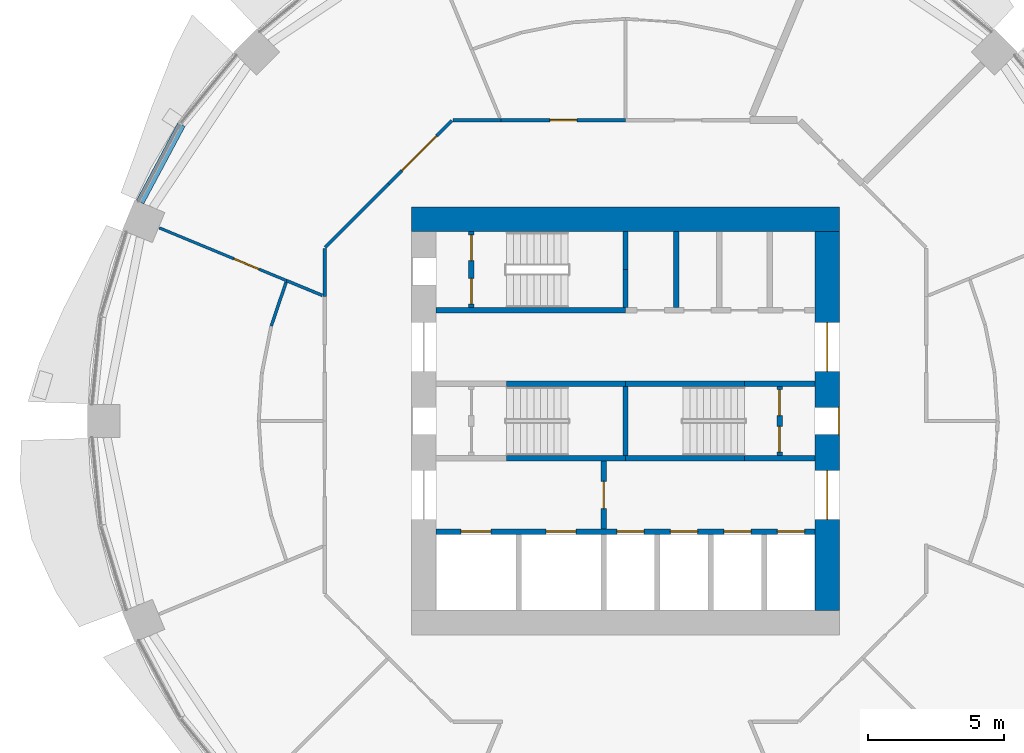
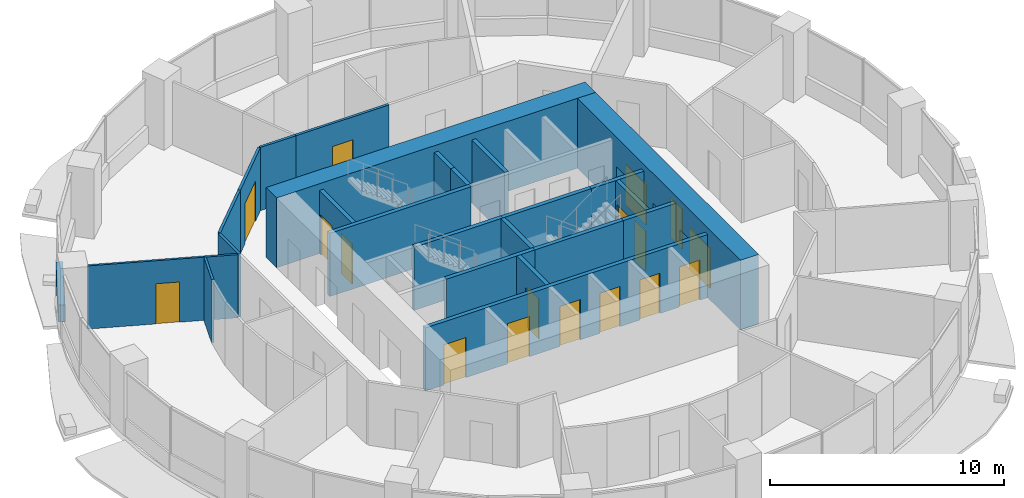
# One storey, part 9 of 15: 26 walls, 17 doors, 17 openings.
"""IFC4 building model written with IfcOpenShell, lengths in metres."""

from ifc_helpers import new_model, si_unit, direction, frame, frame_2d, origin, place, context, subcontext, project, spatial, rectangle, extrude, material, layer, layer_set, type_object, element, fill, save


model = new_model("IFC4")

# Units and contexts
model_context = context("Model", 3, precision=1e-05, world=origin(), true_north=direction((0.0, 1.0)))
body_context = subcontext(model_context, "Body", "Model", "MODEL_VIEW")
ifc_project = project(units=[si_unit("LENGTHUNIT", "METRE"), si_unit("AREAUNIT", "SQUARE_METRE"), si_unit("VOLUMEUNIT", "CUBIC_METRE"), si_unit("PLANEANGLEUNIT", "RADIAN"), si_unit("MASSUNIT", "GRAM", prefix="KILO")], contexts=[model_context])

# Site, building, storey
site_placement = place(None, origin())
site = spatial("IfcSite", under=ifc_project, at=site_placement, CompositionType="ELEMENT")
building_placement = place(site_placement, origin())
building = spatial("IfcBuilding", under=site, at=building_placement, Name="Polderwave Tower", CompositionType="ELEMENT")
storey_placement = place(building_placement, frame((0.0, 0.0, 33.5)))
storey = spatial("IfcBuildingStorey", under=building, at=storey_placement, Name="L08", CompositionType="ELEMENT", Elevation=33.5)

# Wall
ifc_material_1 = material(Name="Concrete C80/95", Category="concrete")
ifc_layer_1 = layer(ifc_material_1, 0.89990234375)
ifc_layer_set_1 = layer_set([ifc_layer_1], Name="CORE WALL 900 C80/95")
wall_type_1 = type_object("IfcWallType", Name="CORE WALL 900 C80/95", PredefinedType="SHEAR", material=ifc_layer_set_1)
wall_1_placement = place(storey_placement, frame((-7.8740234375, 7.424072265625, 0.0), z_axis=(0.0, 0.0, 1.0), x_axis=(1.0, 0.0, 0.0)))
element("IfcWall", 1, at=wall_1_placement, inside=storey, type_object=wall_type_1, Name="ST-CORE-L08-N", PredefinedType="SHEAR", context=body_context, shape_type="SweptSolid", body=[
    extrude(rectangle(XDim=15.748046875, YDim=0.89990234375, at=frame_2d((7.8740234375, 0.0))), origin(), (0.0, 0.0, 1.0), 3.64990234375),
])

# Wall, openings, doors
wall_2_placement = place(storey_placement, frame((7.424072265625, -6.97412109375, 0.0), z_axis=(0.0, 0.0, 1.0), x_axis=(0.0, 1.0, 0.0)))
wall_2 = element("IfcWall", 2, at=wall_2_placement, inside=storey, type_object=wall_type_1, Name="ST-CORE-L08-E", PredefinedType="SHEAR", context=body_context, shape_type="SweptSolid", body=[
    extrude(rectangle(XDim=13.9482421875, YDim=0.89990234375, at=frame_2d((6.97412109375, 0.0))), origin(), (0.0, 0.0, 1.0), 3.64990234375),
])
opening_1_placement = place(wall_2_placement, frame((6.47412109375, 0.0, 0.0)))
opening_1 = element("IfcOpeningElement", 3, at=opening_1_placement, cuts=wall_2, Name="Opening L08-D22", PredefinedType="OPENING", context=body_context, shape_type="SweptSolid", body=[
    extrude(rectangle(XDim=1.0, YDim=2.10009765625, at=frame_2d((0.5, 1.050048828125))), frame((0.0, 0.4599609375, 0.0), z_axis=(0.0, -1.0, 0.0), x_axis=(1.0, 0.0, 0.0)), (0.0, 0.0, 1.0), 0.919921875),
])
opening_2_placement = place(wall_2_placement, frame((3.349609375, 0.0, 0.0)))
opening_2 = element("IfcOpeningElement", 4, at=opening_2_placement, cuts=wall_2, Name="Opening L08-D23", PredefinedType="OPENING", context=body_context, shape_type="SweptSolid", body=[
    extrude(rectangle(XDim=1.800048828125, YDim=2.10009765625, at=frame_2d((0.89990234375, 1.050048828125))), frame((0.0, 0.4599609375, 0.0), z_axis=(0.0, -1.0, 0.0), x_axis=(1.0, 0.0, 0.0)), (0.0, 0.0, 1.0), 0.919921875),
])
opening_3_placement = place(wall_2_placement, frame((8.798583984375, 0.0, 0.0)))
opening_3 = element("IfcOpeningElement", 5, at=opening_3_placement, cuts=wall_2, Name="Opening L08-D24", PredefinedType="OPENING", context=body_context, shape_type="SweptSolid", body=[
    extrude(rectangle(XDim=1.800048828125, YDim=2.10009765625, at=frame_2d((0.89990234375, 1.050048828125))), frame((0.0, 0.4599609375, 0.0), z_axis=(0.0, -1.0, 0.0), x_axis=(1.0, 0.0, 0.0)), (0.0, 0.0, 1.0), 0.919921875),
])
ifc_material_2 = material(Name="Steel fire door", Category="steel")
door_type_1 = type_object("IfcDoorType", Name="Lobby entry door pair 1800", OperationType="DOUBLE_DOOR_SINGLE_SWING", PredefinedType="DOOR", material=ifc_material_2)
door_1_placement = place(opening_2_placement, frame((1.800048828125, 0.0, 0.0), z_axis=(0.0, 0.0, 1.0), x_axis=(-1.0, 0.0, 0.0)))
door_1 = element("IfcDoor", 6, at=door_1_placement, inside=storey, type_object=door_type_1, Name="South lobby entry door", OperationType="DOUBLE_DOOR_SINGLE_SWING", OverallHeight=2.10009765625, OverallWidth=1.800048828125, PredefinedType="DOOR", context=body_context, shape_type="SweptSolid", body=[
    extrude(rectangle(XDim=1.800048828125, YDim=2.10009765625, at=frame_2d((0.89990234375, 1.050048828125))), frame((0.0, 0.02490234375, 0.0), z_axis=(0.0, -1.0, 0.0), x_axis=(1.0, 0.0, 0.0)), (0.0, 0.0, 1.0), 0.050048828125),
])
fill(opening_2, door_1)
door_2_placement = place(opening_3_placement, frame((1.800048828125, 0.0, 0.0), z_axis=(0.0, 0.0, 1.0), x_axis=(-1.0, 0.0, 0.0)))
door_2 = element("IfcDoor", 7, at=door_2_placement, inside=storey, type_object=door_type_1, Name="North lobby entry door", OperationType="DOUBLE_DOOR_SINGLE_SWING", OverallHeight=2.10009765625, OverallWidth=1.800048828125, PredefinedType="DOOR", context=body_context, shape_type="SweptSolid", body=[
    extrude(rectangle(XDim=1.800048828125, YDim=2.10009765625, at=frame_2d((0.89990234375, 1.050048828125))), frame((0.0, 0.02490234375, 0.0), z_axis=(0.0, -1.0, 0.0), x_axis=(1.0, 0.0, 0.0)), (0.0, 0.0, 1.0), 0.050048828125),
])
fill(opening_3, door_2)
door_type_2 = type_object("IfcDoorType", Name="Stair door 1000", OperationType="NOTDEFINED", PredefinedType="DOOR", material=ifc_material_2)
door_3_placement = place(opening_1_placement, frame((1.0, 0.0, 0.0), z_axis=(0.0, 0.0, 1.0), x_axis=(-1.0, 0.0, 0.0)))
door_3 = element("IfcDoor", 8, at=door_3_placement, inside=storey, type_object=door_type_2, Name="Stair B entry door", OperationType="SINGLE_SWING_LEFT", OverallHeight=2.10009765625, OverallWidth=1.0, PredefinedType="DOOR", context=body_context, shape_type="SweptSolid", body=[
    extrude(rectangle(XDim=1.0, YDim=2.10009765625, at=frame_2d((0.5, 1.050048828125))), frame((0.0, 0.4501953125, 0.0), z_axis=(0.0, -1.0, 0.0), x_axis=(1.0, 0.0, 0.0)), (0.0, 0.0, 1.0), 0.050048828125),
])
fill(opening_1, door_3)

# Wall
ifc_material_3 = material(Name="Concrete C50/60 (board-marked)", Category="concrete")
ifc_layer_2 = layer(ifc_material_3, 0.300048828125)
ifc_layer_set_2 = layer_set([ifc_layer_2], Name="Concrete spandrel upstand C50/60")
wall_type_2 = type_object("IfcWallType", Name="Concrete spandrel upstand C50/60", PredefinedType="SOLIDWALL", material=ifc_layer_set_2)
wall_3_placement = place(storey_placement, frame((-16.34521484375, 10.90380859375, 0.0), z_axis=(0.0, 0.0, 1.0), x_axis=(-0.471217656413, -0.882016961449, 0.0)))
element("IfcWall", 9, at=wall_3_placement, inside=storey, type_object=wall_type_2, Name="Spandrel L08 7b", PredefinedType="SOLIDWALL", context=body_context, shape_type="SweptSolid", body=[
    extrude(rectangle(XDim=3.220458984375, YDim=0.300048828125, at=frame_2d((1.6103515625, 0.0))), origin(), (0.0, 0.0, 1.0), 0.89990234375),
])

# Wall, opening, door
ifc_material_4 = material(Name="Gypsum board partition")
ifc_layer_3 = layer(ifc_material_4, 0.199951171875)
ifc_layer_set_3 = layer_set([ifc_layer_3], Name="Core room partition 200")
wall_type_3 = type_object("IfcWallType", Name="Core room partition 200", PredefinedType="PARTITIONING", material=ifc_layer_set_3)
wall_4_placement = place(storey_placement, frame((-0.800048828125, -3.97412109375, 0.0), z_axis=(0.0, 0.0, 1.0), x_axis=(0.0, 1.0, 0.0)))
wall_4 = element("IfcWall", 10, at=wall_4_placement, inside=storey, type_object=wall_type_3, Name="L08 fire-fighting lobby wall", PredefinedType="PARTITIONING", context=body_context, shape_type="SweptSolid", body=[
    extrude(rectangle(XDim=2.4990234375, YDim=0.199951171875, at=frame_2d((1.24951171875, 0.0))), origin(), (0.0, 0.0, 1.0), 3.300048828125),
])
opening_4_placement = place(wall_4_placement, frame((0.74951171875, 0.0, 0.0)))
opening_4 = element("IfcOpeningElement", 11, at=opening_4_placement, cuts=wall_4, Name="Opening L08-D13", PredefinedType="OPENING", context=body_context, shape_type="SweptSolid", body=[
    extrude(rectangle(XDim=1.0, YDim=2.10009765625, at=frame_2d((0.5, 1.050048828125))), frame((0.0, 0.10986328125, 0.0), z_axis=(0.0, -1.0, 0.0), x_axis=(1.0, 0.0, 0.0)), (0.0, 0.0, 1.0), 0.219970703125),
])
door_type_3 = type_object("IfcDoorType", Name="Lobby fire door 1000", OperationType="NOTDEFINED", PredefinedType="DOOR", material=ifc_material_2)
door_4_placement = place(opening_4_placement, frame((1.0, 0.0, 0.0), z_axis=(0.0, 0.0, 1.0), x_axis=(-1.0, 0.0, 0.0)))
door_4 = element("IfcDoor", 12, at=door_4_placement, inside=storey, type_object=door_type_3, Name="Fire-fighting lobby door", OperationType="SINGLE_SWING_LEFT", OverallHeight=2.10009765625, OverallWidth=1.0, PredefinedType="DOOR", context=body_context, shape_type="SweptSolid", body=[
    extrude(rectangle(XDim=1.0, YDim=2.10009765625, at=frame_2d((0.5, 1.050048828125))), frame((0.0, 0.02490234375, 0.0), z_axis=(0.0, -1.0, 0.0), x_axis=(1.0, 0.0, 0.0)), (0.0, 0.0, 1.0), 0.050048828125),
])
fill(opening_4, door_4)

# Wall
wall_5_placement = place(storey_placement, frame((1.86083984375, 4.174072265625, 0.0), z_axis=(0.0, 0.0, 1.0), x_axis=(0.0, 1.0, 0.0)))
element("IfcWall", 13, at=wall_5_placement, inside=storey, type_object=wall_type_3, Name="L08 room partition N1", PredefinedType="PARTITIONING", context=body_context, shape_type="SweptSolid", body=[
    extrude(rectangle(XDim=2.800048828125, YDim=0.199951171875, at=frame_2d((1.39990234375, 0.0))), origin(), (0.0, 0.0, 1.0), 3.300048828125),
])

# Wall, openings, doors
wall_6_placement = place(storey_placement, frame((5.674072265625, -1.27490234375, 0.0), z_axis=(0.0, 0.0, 1.0), x_axis=(0.0, 1.0, 0.0)))
wall_6 = element("IfcWall", 14, at=wall_6_placement, inside=storey, type_object=wall_type_3, Name="L08 smoke lobby wall B", PredefinedType="PARTITIONING", context=body_context, shape_type="SweptSolid", body=[
    extrude(rectangle(XDim=2.5498046875, YDim=0.199951171875, at=frame_2d((1.27490234375, 0.0))), origin(), (0.0, 0.0, 1.0), 3.300048828125),
])
opening_5_placement = place(wall_6_placement, frame((0.125, 0.0, 0.0)))
opening_5 = element("IfcOpeningElement", 15, at=opening_5_placement, cuts=wall_6, Name="Opening L08-D09", PredefinedType="OPENING", context=body_context, shape_type="SweptSolid", body=[
    extrude(rectangle(XDim=0.949951171875, YDim=2.10009765625, at=frame_2d((0.47509765625, 1.050048828125))), frame((0.0, 0.10986328125, 0.0), z_axis=(0.0, -1.0, 0.0), x_axis=(1.0, 0.0, 0.0)), (0.0, 0.0, 1.0), 0.219970703125),
])
opening_6_placement = place(wall_6_placement, frame((1.47509765625, 0.0, 0.0)))
opening_6 = element("IfcOpeningElement", 16, at=opening_6_placement, cuts=wall_6, Name="Opening L08-D10", PredefinedType="OPENING", context=body_context, shape_type="SweptSolid", body=[
    extrude(rectangle(XDim=0.949951171875, YDim=2.10009765625, at=frame_2d((0.47509765625, 1.050048828125))), frame((0.0, 0.10986328125, 0.0), z_axis=(0.0, -1.0, 0.0), x_axis=(1.0, 0.0, 0.0)), (0.0, 0.0, 1.0), 0.219970703125),
])
door_type_4 = type_object("IfcDoorType", Name="Smoke lobby door 950", OperationType="NOTDEFINED", PredefinedType="DOOR", material=ifc_material_2)
door_5_placement = place(opening_5_placement, frame((0.949951171875, 0.0, 0.0), z_axis=(0.0, 0.0, 1.0), x_axis=(-1.0, 0.0, 0.0)))
door_5 = element("IfcDoor", 17, at=door_5_placement, inside=storey, type_object=door_type_4, Name="Stair B smoke lobby inner door", OperationType="SINGLE_SWING_RIGHT", OverallHeight=2.10009765625, OverallWidth=0.949951171875, PredefinedType="DOOR", context=body_context, shape_type="SweptSolid", body=[
    extrude(rectangle(XDim=0.949951171875, YDim=2.10009765625, at=frame_2d((0.47509765625, 1.050048828125))), frame((0.0, 0.02490234375, 0.0), z_axis=(0.0, -1.0, 0.0), x_axis=(1.0, 0.0, 0.0)), (0.0, 0.0, 1.0), 0.050048828125),
])
fill(opening_5, door_5)
door_6_placement = place(opening_6_placement, frame((0.949951171875, 0.0, 0.0), z_axis=(0.0, 0.0, 1.0), x_axis=(-1.0, 0.0, 0.0)))
door_6 = element("IfcDoor", 18, at=door_6_placement, inside=storey, type_object=door_type_4, Name="Stair B smoke lobby inner door", OperationType="SINGLE_SWING_LEFT", OverallHeight=2.10009765625, OverallWidth=0.949951171875, PredefinedType="DOOR", context=body_context, shape_type="SweptSolid", body=[
    extrude(rectangle(XDim=0.949951171875, YDim=2.10009765625, at=frame_2d((0.47509765625, 1.050048828125))), frame((0.0, 0.02490234375, 0.0), z_axis=(0.0, -1.0, 0.0), x_axis=(1.0, 0.0, 0.0)), (0.0, 0.0, 1.0), 0.050048828125),
])
fill(opening_6, door_6)

wall_7_placement = place(storey_placement, frame((-5.674072265625, 4.174072265625, 0.0), z_axis=(0.0, 0.0, 1.0), x_axis=(0.0, 1.0, 0.0)))
wall_7 = element("IfcWall", 19, at=wall_7_placement, inside=storey, type_object=wall_type_3, Name="L08 smoke lobby wall C", PredefinedType="PARTITIONING", context=body_context, shape_type="SweptSolid", body=[
    extrude(rectangle(XDim=2.800048828125, YDim=0.199951171875, at=frame_2d((1.39990234375, 0.0))), origin(), (0.0, 0.0, 1.0), 3.300048828125),
])
opening_7_placement = place(wall_7_placement, frame((0.125, 0.0, 0.0)))
opening_7 = element("IfcOpeningElement", 20, at=opening_7_placement, cuts=wall_7, Name="Opening L08-D11", PredefinedType="OPENING", context=body_context, shape_type="SweptSolid", body=[
    extrude(rectangle(XDim=0.949951171875, YDim=2.10009765625, at=frame_2d((0.47509765625, 1.050048828125))), frame((0.0, 0.10986328125, 0.0), z_axis=(0.0, -1.0, 0.0), x_axis=(1.0, 0.0, 0.0)), (0.0, 0.0, 1.0), 0.219970703125),
])
opening_8_placement = place(wall_7_placement, frame((1.72509765625, 0.0, 0.0)))
opening_8 = element("IfcOpeningElement", 21, at=opening_8_placement, cuts=wall_7, Name="Opening L08-D12", PredefinedType="OPENING", context=body_context, shape_type="SweptSolid", body=[
    extrude(rectangle(XDim=0.949951171875, YDim=2.10009765625, at=frame_2d((0.47509765625, 1.050048828125))), frame((0.0, 0.10986328125, 0.0), z_axis=(0.0, -1.0, 0.0), x_axis=(1.0, 0.0, 0.0)), (0.0, 0.0, 1.0), 0.219970703125),
])
door_7_placement = place(opening_7_placement, origin())
door_7 = element("IfcDoor", 22, at=door_7_placement, inside=storey, type_object=door_type_4, Name="Stair C smoke lobby inner door", OperationType="SINGLE_SWING_LEFT", OverallHeight=2.10009765625, OverallWidth=0.949951171875, PredefinedType="DOOR", context=body_context, shape_type="SweptSolid", body=[
    extrude(rectangle(XDim=0.949951171875, YDim=2.10009765625, at=frame_2d((0.47509765625, 1.050048828125))), frame((0.0, 0.02490234375, 0.0), z_axis=(0.0, -1.0, 0.0), x_axis=(1.0, 0.0, 0.0)), (0.0, 0.0, 1.0), 0.050048828125),
])
fill(opening_7, door_7)
door_8_placement = place(opening_8_placement, origin())
door_8 = element("IfcDoor", 23, at=door_8_placement, inside=storey, type_object=door_type_4, Name="Stair C smoke lobby inner door", OperationType="SINGLE_SWING_RIGHT", OverallHeight=2.10009765625, OverallWidth=0.949951171875, PredefinedType="DOOR", context=body_context, shape_type="SweptSolid", body=[
    extrude(rectangle(XDim=0.949951171875, YDim=2.10009765625, at=frame_2d((0.47509765625, 1.050048828125))), frame((0.0, 0.02490234375, 0.0), z_axis=(0.0, -1.0, 0.0), x_axis=(1.0, 0.0, 0.0)), (0.0, 0.0, 1.0), 0.050048828125),
])
fill(opening_8, door_8)

ifc_material_5 = material(Name="Concrete C50/60", Category="concrete")
ifc_layer_4 = layer(ifc_material_5, 0.199951171875)
ifc_layer_set_4 = layer_set([ifc_layer_4], Name="Core web wall 200")
wall_type_4 = type_object("IfcWallType", Name="Core web wall 200", PredefinedType="SHEAR", material=ifc_layer_set_4)
wall_8_placement = place(storey_placement, frame((-6.97412109375, -4.073974609375, 0.0), z_axis=(0.0, 0.0, 1.0), x_axis=(1.0, 0.0, 0.0)))
wall_8 = element("IfcWall", 24, at=wall_8_placement, inside=storey, type_object=wall_type_4, Name="L08 south front wall", PredefinedType="SHEAR", context=body_context, shape_type="SweptSolid", body=[
    extrude(rectangle(XDim=13.9482421875, YDim=0.199951171875, at=frame_2d((6.97412109375, 0.0))), origin(), (0.0, 0.0, 1.0), 3.300048828125),
])
opening_9_placement = place(wall_8_placement, frame((0.91845703125, 0.0, 0.0)))
opening_9 = element("IfcOpeningElement", 25, at=opening_9_placement, cuts=wall_8, Name="Opening L08-D01", PredefinedType="OPENING", context=body_context, shape_type="SweptSolid", body=[
    extrude(rectangle(XDim=1.10009765625, YDim=2.10009765625, at=frame_2d((0.550048828125, 1.050048828125))), frame((0.0, 0.10986328125, 0.0), z_axis=(0.0, -1.0, 0.0), x_axis=(1.0, 0.0, 0.0)), (0.0, 0.0, 1.0), 0.219970703125),
])
opening_10_placement = place(wall_8_placement, frame((4.055419921875, 0.0, 0.0)))
opening_10 = element("IfcOpeningElement", 26, at=opening_10_placement, cuts=wall_8, Name="Opening L08-D02", PredefinedType="OPENING", context=body_context, shape_type="SweptSolid", body=[
    extrude(rectangle(XDim=1.10009765625, YDim=2.10009765625, at=frame_2d((0.550048828125, 1.050048828125))), frame((0.0, 0.10986328125, 0.0), z_axis=(0.0, -1.0, 0.0), x_axis=(1.0, 0.0, 0.0)), (0.0, 0.0, 1.0), 0.219970703125),
])
opening_11_placement = place(wall_8_placement, frame((6.658203125, 0.0, 0.0)))
opening_11 = element("IfcOpeningElement", 27, at=opening_11_placement, cuts=wall_8, Name="Opening L08-D03", PredefinedType="OPENING", context=body_context, shape_type="SweptSolid", body=[
    extrude(rectangle(XDim=1.0, YDim=2.10009765625, at=frame_2d((0.5, 1.050048828125))), frame((0.0, 0.10986328125, 0.0), z_axis=(0.0, -1.0, 0.0), x_axis=(1.0, 0.0, 0.0)), (0.0, 0.0, 1.0), 0.219970703125),
])
opening_12_placement = place(wall_8_placement, frame((8.626708984375, 0.0, 0.0)))
opening_12 = element("IfcOpeningElement", 28, at=opening_12_placement, cuts=wall_8, Name="Opening L08-D04", PredefinedType="OPENING", context=body_context, shape_type="SweptSolid", body=[
    extrude(rectangle(XDim=1.0, YDim=2.10009765625, at=frame_2d((0.5, 1.050048828125))), frame((0.0, 0.10986328125, 0.0), z_axis=(0.0, -1.0, 0.0), x_axis=(1.0, 0.0, 0.0)), (0.0, 0.0, 1.0), 0.219970703125),
])
opening_13_placement = place(wall_8_placement, frame((10.59521484375, 0.0, 0.0)))
opening_13 = element("IfcOpeningElement", 29, at=opening_13_placement, cuts=wall_8, Name="Opening L08-D05", PredefinedType="OPENING", context=body_context, shape_type="SweptSolid", body=[
    extrude(rectangle(XDim=1.0, YDim=2.10009765625, at=frame_2d((0.5, 1.050048828125))), frame((0.0, 0.10986328125, 0.0), z_axis=(0.0, -1.0, 0.0), x_axis=(1.0, 0.0, 0.0)), (0.0, 0.0, 1.0), 0.219970703125),
])
opening_14_placement = place(wall_8_placement, frame((12.563720703125, 0.0, 0.0)))
opening_14 = element("IfcOpeningElement", 30, at=opening_14_placement, cuts=wall_8, Name="Opening L08-D06", PredefinedType="OPENING", context=body_context, shape_type="SweptSolid", body=[
    extrude(rectangle(XDim=1.0, YDim=2.10009765625, at=frame_2d((0.5, 1.050048828125))), frame((0.0, 0.10986328125, 0.0), z_axis=(0.0, -1.0, 0.0), x_axis=(1.0, 0.0, 0.0)), (0.0, 0.0, 1.0), 0.219970703125),
])
ifc_material_6 = material(Name="Stainless steel", Category="steel")
door_type_5 = type_object("IfcDoorType", Name="Fire-fighting lift landing door 1100", OperationType="DOUBLE_DOOR_SLIDING", PredefinedType="DOOR", material=ifc_material_6)
door_9_placement = place(opening_9_placement, origin())
door_9 = element("IfcDoor", 31, at=door_9_placement, inside=storey, type_object=door_type_5, Name="Fire-fighting lift FF1 landing door", OperationType="DOUBLE_DOOR_SLIDING", OverallHeight=2.10009765625, OverallWidth=1.10009765625, PredefinedType="DOOR", context=body_context, shape_type="SweptSolid", body=[
    extrude(rectangle(XDim=1.10009765625, YDim=2.10009765625, at=frame_2d((0.550048828125, 1.050048828125))), frame((0.0, 0.02490234375, 0.0), z_axis=(0.0, -1.0, 0.0), x_axis=(1.0, 0.0, 0.0)), (0.0, 0.0, 1.0), 0.050048828125),
])
fill(opening_9, door_9)
door_10_placement = place(opening_10_placement, origin())
door_10 = element("IfcDoor", 32, at=door_10_placement, inside=storey, type_object=door_type_5, Name="Fire-fighting lift FF2 landing door", OperationType="DOUBLE_DOOR_SLIDING", OverallHeight=2.10009765625, OverallWidth=1.10009765625, PredefinedType="DOOR", context=body_context, shape_type="SweptSolid", body=[
    extrude(rectangle(XDim=1.10009765625, YDim=2.10009765625, at=frame_2d((0.550048828125, 1.050048828125))), frame((0.0, 0.02490234375, 0.0), z_axis=(0.0, -1.0, 0.0), x_axis=(1.0, 0.0, 0.0)), (0.0, 0.0, 1.0), 0.050048828125),
])
fill(opening_10, door_10)
door_type_6 = type_object("IfcDoorType", Name="Lift landing door 1000", OperationType="DOUBLE_DOOR_SLIDING", PredefinedType="DOOR", material=ifc_material_6)
door_11_placement = place(opening_11_placement, origin())
door_11 = element("IfcDoor", 33, at=door_11_placement, inside=storey, type_object=door_type_6, Name="Lift LL1 landing door", OperationType="DOUBLE_DOOR_SLIDING", OverallHeight=2.10009765625, OverallWidth=1.0, PredefinedType="DOOR", context=body_context, shape_type="SweptSolid", body=[
    extrude(rectangle(XDim=1.0, YDim=2.10009765625, at=frame_2d((0.5, 1.050048828125))), frame((0.0, 0.02490234375, 0.0), z_axis=(0.0, -1.0, 0.0), x_axis=(1.0, 0.0, 0.0)), (0.0, 0.0, 1.0), 0.050048828125),
])
fill(opening_11, door_11)
door_12_placement = place(opening_12_placement, origin())
door_12 = element("IfcDoor", 34, at=door_12_placement, inside=storey, type_object=door_type_6, Name="Lift LL2 landing door", OperationType="DOUBLE_DOOR_SLIDING", OverallHeight=2.10009765625, OverallWidth=1.0, PredefinedType="DOOR", context=body_context, shape_type="SweptSolid", body=[
    extrude(rectangle(XDim=1.0, YDim=2.10009765625, at=frame_2d((0.5, 1.050048828125))), frame((0.0, 0.02490234375, 0.0), z_axis=(0.0, -1.0, 0.0), x_axis=(1.0, 0.0, 0.0)), (0.0, 0.0, 1.0), 0.050048828125),
])
fill(opening_12, door_12)
door_13_placement = place(opening_13_placement, origin())
door_13 = element("IfcDoor", 35, at=door_13_placement, inside=storey, type_object=door_type_6, Name="Lift LL3 landing door", OperationType="DOUBLE_DOOR_SLIDING", OverallHeight=2.10009765625, OverallWidth=1.0, PredefinedType="DOOR", context=body_context, shape_type="SweptSolid", body=[
    extrude(rectangle(XDim=1.0, YDim=2.10009765625, at=frame_2d((0.5, 1.050048828125))), frame((0.0, 0.02490234375, 0.0), z_axis=(0.0, -1.0, 0.0), x_axis=(1.0, 0.0, 0.0)), (0.0, 0.0, 1.0), 0.050048828125),
])
fill(opening_13, door_13)
door_14_placement = place(opening_14_placement, origin())
door_14 = element("IfcDoor", 36, at=door_14_placement, inside=storey, type_object=door_type_6, Name="Lift LL4 landing door", OperationType="DOUBLE_DOOR_SLIDING", OverallHeight=2.10009765625, OverallWidth=1.0, PredefinedType="DOOR", context=body_context, shape_type="SweptSolid", body=[
    extrude(rectangle(XDim=1.0, YDim=2.10009765625, at=frame_2d((0.5, 1.050048828125))), frame((0.0, 0.02490234375, 0.0), z_axis=(0.0, -1.0, 0.0), x_axis=(1.0, 0.0, 0.0)), (0.0, 0.0, 1.0), 0.050048828125),
])
fill(opening_14, door_14)

# Walls
wall_9_placement = place(storey_placement, frame((-6.97412109375, 4.073974609375, 0.0), z_axis=(0.0, 0.0, 1.0), x_axis=(1.0, 0.0, 0.0)))
element("IfcWall", 37, at=wall_9_placement, inside=storey, type_object=wall_type_4, Name="L08 north front wall 1", PredefinedType="SHEAR", context=body_context, shape_type="SweptSolid", body=[
    extrude(rectangle(XDim=6.97412109375, YDim=0.199951171875, at=frame_2d((3.487060546875, 0.0))), origin(), (0.0, 0.0, 1.0), 3.300048828125),
])
for number, where, z_axis, x_axis, name in (
    (38, (-4.3740234375, -1.375, 0.0), (0.0, 0.0, 1.0), (1.0, 0.0, 0.0), "L08 south stair wall 2"),
    (39, (0.0, -1.375, 0.0), (0.0, 0.0, 1.0), (1.0, 0.0, 0.0), "L08 south stair wall 3"),
):
    element("IfcWall", number, at=place(storey_placement, frame(where, z_axis=z_axis, x_axis=x_axis)), inside=storey, type_object=wall_type_4, Name=name, PredefinedType="SHEAR", context=body_context, shape_type="SweptSolid", body=[
        extrude(rectangle(XDim=4.3740234375, YDim=0.199951171875, at=frame_2d((2.18701171875, 0.0))), origin(), (0.0, 0.0, 1.0), 3.300048828125),
    ])
wall_10_placement = place(storey_placement, frame((4.3740234375, -1.375, 0.0), z_axis=(0.0, 0.0, 1.0), x_axis=(1.0, 0.0, 0.0)))
element("IfcWall", 40, at=wall_10_placement, inside=storey, type_object=wall_type_4, Name="L08 south stair wall 4", PredefinedType="SHEAR", context=body_context, shape_type="SweptSolid", body=[
    extrude(rectangle(XDim=2.60009765625, YDim=0.199951171875, at=frame_2d((1.300048828125, 0.0))), origin(), (0.0, 0.0, 1.0), 3.300048828125),
])
for number, where, z_axis, x_axis, name in (
    (41, (-4.3740234375, 1.375, 0.0), (0.0, 0.0, 1.0), (1.0, 0.0, 0.0), "L08 north stair wall 2"),
    (42, (0.0, 1.375, 0.0), (0.0, 0.0, 1.0), (1.0, 0.0, 0.0), "L08 north stair wall 3"),
):
    element("IfcWall", number, at=place(storey_placement, frame(where, z_axis=z_axis, x_axis=x_axis)), inside=storey, type_object=wall_type_4, Name=name, PredefinedType="SHEAR", context=body_context, shape_type="SweptSolid", body=[
        extrude(rectangle(XDim=4.3740234375, YDim=0.199951171875, at=frame_2d((2.18701171875, 0.0))), origin(), (0.0, 0.0, 1.0), 3.300048828125),
    ])
wall_11_placement = place(storey_placement, frame((4.3740234375, 1.375, 0.0), z_axis=(0.0, 0.0, 1.0), x_axis=(1.0, 0.0, 0.0)))
element("IfcWall", 43, at=wall_11_placement, inside=storey, type_object=wall_type_4, Name="L08 north stair wall 4", PredefinedType="SHEAR", context=body_context, shape_type="SweptSolid", body=[
    extrude(rectangle(XDim=2.60009765625, YDim=0.199951171875, at=frame_2d((1.300048828125, 0.0))), origin(), (0.0, 0.0, 1.0), 3.300048828125),
])
wall_12_placement = place(storey_placement, frame((0.0, -1.27490234375, 0.0), z_axis=(0.0, 0.0, 1.0), x_axis=(0.0, 1.0, 0.0)))
element("IfcWall", 44, at=wall_12_placement, inside=storey, type_object=wall_type_4, Name="L08 wall between the stairs", PredefinedType="SHEAR", context=body_context, shape_type="SweptSolid", body=[
    extrude(rectangle(XDim=2.5498046875, YDim=0.199951171875, at=frame_2d((1.27490234375, 0.0))), origin(), (0.0, 0.0, 1.0), 3.300048828125),
])
wall_13_placement = place(storey_placement, frame((0.0, 4.174072265625, 0.0), z_axis=(0.0, 0.0, 1.0), x_axis=(0.0, 1.0, 0.0)))
element("IfcWall", 45, at=wall_13_placement, inside=storey, type_object=wall_type_4, Name="L08 stair C wall south", PredefinedType="SHEAR", context=body_context, shape_type="SweptSolid", body=[
    extrude(rectangle(XDim=1.39990234375, YDim=0.199951171875, at=frame_2d((0.699951171875, 0.0))), origin(), (0.0, 0.0, 1.0), 3.300048828125),
])
wall_14_placement = place(storey_placement, frame((0.0, 5.573974609375, 0.0), z_axis=(0.0, 0.0, 1.0), x_axis=(0.0, 1.0, 0.0)))
element("IfcWall", 46, at=wall_14_placement, inside=storey, type_object=wall_type_4, Name="L08 stair C wall north", PredefinedType="SHEAR", context=body_context, shape_type="SweptSolid", body=[
    extrude(rectangle(XDim=1.400146484375, YDim=0.199951171875, at=frame_2d((0.7001953125, 0.0))), origin(), (0.0, 0.0, 1.0), 3.300048828125),
])

# Wall, opening, door
ifc_material_7 = material(Name="Fire-resisting board on steel studs", Category="steel")
ifc_layer_5 = layer(ifc_material_7, 0.125)
ifc_layer_set_5 = layer_set([ifc_layer_5], Name="Corridor wall 125 mm EI 60")
wall_type_5 = type_object("IfcWallType", Name="Corridor wall 125 mm EI 60", PredefinedType="PARTITIONING", material=ifc_layer_set_5)
wall_15_placement = place(storey_placement, frame((-4.5869140625, 11.073974609375, 0.0), z_axis=(0.0, 0.0, 1.0), x_axis=(1.0, 0.0, 0.0)))
wall_15 = element("IfcWall", 47, at=wall_15_placement, inside=storey, type_object=wall_type_5, Name="IN-L08-W009", PredefinedType="PARTITIONING", context=body_context, shape_type="SweptSolid", body=[
    extrude(rectangle(XDim=4.5869140625, YDim=0.125, at=frame_2d((2.29345703125, 0.0))), origin(), (0.0, 0.0, 1.0), 3.300048828125),
])
opening_15_placement = place(wall_15_placement, frame((1.800048828125, 0.0, 0.0)))
opening_15 = element("IfcOpeningElement", 48, at=opening_15_placement, cuts=wall_15, Name="Opening L08-D55", PredefinedType="OPENING", context=body_context, shape_type="SweptSolid", body=[
    extrude(rectangle(XDim=1.0, YDim=2.10009765625, at=frame_2d((0.5, 1.050048828125))), frame((0.0, 0.072509765625, 0.0), z_axis=(0.0, -1.0, 0.0), x_axis=(1.0, 0.0, 0.0)), (0.0, 0.0, 1.0), 0.14501953125),
])
ifc_material_8 = material(Name="Timber fire door leaf", Category="wood")
door_type_7 = type_object("IfcDoorType", Name="Fire door FD30S 1000 x 2100", OperationType="NOTDEFINED", PredefinedType="DOOR", material=ifc_material_8)
door_15_placement = place(opening_15_placement, origin())
door_15 = element("IfcDoor", 49, at=door_15_placement, inside=storey, type_object=door_type_7, Name="Door L08-D55", OperationType="SINGLE_SWING_RIGHT", OverallHeight=2.10009765625, OverallWidth=1.0, PredefinedType="DOOR", context=body_context, shape_type="SweptSolid", body=[
    extrude(rectangle(XDim=1.0, YDim=2.10009765625, at=frame_2d((0.5, 1.050048828125))), frame((0.0, 0.02490234375, 0.0), z_axis=(0.0, -1.0, 0.0), x_axis=(1.0, 0.0, 0.0)), (0.0, 0.0, 1.0), 0.050048828125),
])
fill(opening_15, door_15)

wall_16_placement = place(storey_placement, frame((-8.722412109375, 8.722412109375, 0.0), z_axis=(0.0, 0.0, 1.0), x_axis=(0.707069784102, 0.707143776336, 0.0)))
wall_16 = element("IfcWall", 50, at=wall_16_placement, inside=storey, type_object=wall_type_5, Name="IN-L08-W010", PredefinedType="PARTITIONING", context=body_context, shape_type="SweptSolid", body=[
    extrude(rectangle(XDim=3.299560546875, YDim=0.125, at=frame_2d((1.64990234375, 0.0))), origin(), (0.0, 0.0, 1.0), 3.300048828125),
])
opening_16_placement = place(wall_16_placement, frame((0.699951171875, 0.0, 0.0)))
opening_16 = element("IfcOpeningElement", 51, at=opening_16_placement, cuts=wall_16, Name="Opening L08-D56", PredefinedType="OPENING", context=body_context, shape_type="SweptSolid", body=[
    extrude(rectangle(XDim=1.800048828125, YDim=2.10009765625, at=frame_2d((0.89990234375, 1.050048828125))), frame((0.0, 0.072509765625, 0.0), z_axis=(0.0, -1.0, 0.0), x_axis=(1.0, 0.0, 0.0)), (0.0, 0.0, 1.0), 0.14501953125),
])
ifc_material_9 = material(Name="Timber fire door leaves", Category="wood")
door_type_8 = type_object("IfcDoorType", Name="Double fire door FD30S 1800 x 2100", OperationType="NOTDEFINED", PredefinedType="DOOR", material=ifc_material_9)
door_16_placement = place(opening_16_placement, origin())
door_16 = element("IfcDoor", 52, at=door_16_placement, inside=storey, type_object=door_type_8, Name="Door L08-D56", OperationType="DOUBLE_DOOR_SINGLE_SWING", OverallHeight=2.10009765625, OverallWidth=1.800048828125, PredefinedType="DOOR", context=body_context, shape_type="SweptSolid", body=[
    extrude(rectangle(XDim=1.800048828125, YDim=2.10009765625, at=frame_2d((0.89990234375, 1.050048828125))), frame((0.0, 0.02490234375, 0.0), z_axis=(0.0, -1.0, 0.0), x_axis=(1.0, 0.0, 0.0)), (0.0, 0.0, 1.0), 0.050048828125),
])
fill(opening_16, door_16)

# Walls
for number, where, z_axis, x_axis, name in (
    (53, (-6.34521484375, 11.073974609375, 0.0), (0.0, 0.0, 1.0), (1.0, 0.0, 0.0), "IN-L08-W011"),
    (54, (-11.073974609375, 4.5869140625, 0.0), (0.0, 0.0, 1.0), (0.0, 1.0, 0.0), "IN-L08-W012"),
):
    element("IfcWall", number, at=place(storey_placement, frame(where, z_axis=z_axis, x_axis=x_axis)), inside=storey, type_object=wall_type_5, Name=name, PredefinedType="PARTITIONING", context=body_context, shape_type="SweptSolid", body=[
        extrude(rectangle(XDim=1.75830078125, YDim=0.125, at=frame_2d((0.879150390625, 0.0))), origin(), (0.0, 0.0, 1.0), 3.300048828125),
    ])
wall_17_placement = place(storey_placement, frame((-11.0556640625, 6.389404296875, 0.0), z_axis=(0.0, 0.0, 1.0), x_axis=(0.707143776336, 0.707069784102, 0.0)))
element("IfcWall", 55, at=wall_17_placement, inside=storey, type_object=wall_type_5, Name="IN-L08-W013", PredefinedType="PARTITIONING", context=body_context, shape_type="SweptSolid", body=[
    extrude(rectangle(XDim=3.299560546875, YDim=0.125, at=frame_2d((1.64990234375, 0.0))), origin(), (0.0, 0.0, 1.0), 3.300048828125),
])

# Wall, opening, door
ifc_material_10 = material(Name="Plasterboard on steel studs", Category="steel")
ifc_layer_6 = layer(ifc_material_10, 0.10009765625)
ifc_layer_set_6 = layer_set([ifc_layer_6], Name="Partition 100 mm plasterboard on steel studs")
wall_type_6 = type_object("IfcWallType", Name="Partition 100 mm plasterboard on steel studs", PredefinedType="PARTITIONING", material=ifc_layer_set_6)
wall_18_placement = place(storey_placement, frame((-12.472412109375, 5.166259765625, 0.0), z_axis=(0.0, 0.0, 1.0), x_axis=(-0.923881258966, 0.382679264308, 0.0)))
wall_18 = element("IfcWall", 56, at=wall_18_placement, inside=storey, type_object=wall_type_6, Name="IN-L08-W045", PredefinedType="PARTITIONING", context=body_context, shape_type="SweptSolid", body=[
    extrude(rectangle(XDim=5.070068359375, YDim=0.10009765625, at=frame_2d((2.53515625, 0.0))), origin(), (0.0, 0.0, 1.0), 3.300048828125),
])
opening_17_placement = place(wall_18_placement, frame((1.10009765625, 0.0, 0.0)))
opening_17 = element("IfcOpeningElement", 57, at=opening_17_placement, cuts=wall_18, Name="Opening L08-D64", PredefinedType="OPENING", context=body_context, shape_type="SweptSolid", body=[
    extrude(rectangle(XDim=1.0, YDim=2.10009765625, at=frame_2d((0.5, 1.050048828125))), frame((0.0, 0.06005859375, 0.0), z_axis=(0.0, -1.0, 0.0), x_axis=(1.0, 0.0, 0.0)), (0.0, 0.0, 1.0), 0.1201171875),
])
ifc_material_11 = material(Name="Timber veneer door leaf", Category="wood")
door_type_9 = type_object("IfcDoorType", Name="Single door 1000 x 2100", OperationType="NOTDEFINED", PredefinedType="DOOR", material=ifc_material_11)
door_17_placement = place(opening_17_placement, origin())
door_17 = element("IfcDoor", 58, at=door_17_placement, inside=storey, type_object=door_type_9, Name="Door L08-D64", OperationType="SINGLE_SWING_LEFT", OverallHeight=2.10009765625, OverallWidth=1.0, PredefinedType="DOOR", context=body_context, shape_type="SweptSolid", body=[
    extrude(rectangle(XDim=1.0, YDim=2.10009765625, at=frame_2d((0.5, 1.050048828125))), frame((0.0, 0.02490234375, 0.0), z_axis=(0.0, -1.0, 0.0), x_axis=(1.0, 0.0, 0.0)), (0.0, 0.0, 1.0), 0.050048828125),
])
fill(opening_17, door_17)

# Walls
ifc_material_12 = material(Name="Acoustic double plasterboard on steel studs", Category="steel")
ifc_layer_7 = layer(ifc_material_12, 0.110107421875)
ifc_layer_set_7 = layer_set([ifc_layer_7], Name="Partition 110 mm acoustic double board")
wall_type_7 = type_object("IfcWallType", Name="Partition 110 mm acoustic double board", PredefinedType="PARTITIONING", material=ifc_layer_set_7)
wall_19_placement = place(storey_placement, frame((-11.157470703125, 4.62158203125, 0.0), z_axis=(0.0, 0.0, 1.0), x_axis=(-0.923876757744, 0.382690131178, 0.0)))
element("IfcWall", 59, at=wall_19_placement, inside=storey, type_object=wall_type_7, Name="IN-L08-W044", PredefinedType="PARTITIONING", context=body_context, shape_type="SweptSolid", body=[
    extrude(rectangle(XDim=1.42333984375, YDim=0.110107421875, at=frame_2d((0.711669921875, 0.0))), origin(), (0.0, 0.0, 1.0), 3.300048828125),
])
wall_20_placement = place(storey_placement, frame((-13.038818359375, 3.49755859375, 0.0), z_axis=(0.0, 0.0, 1.0), x_axis=(0.3214684719, 0.946920282587, 0.0)))
element("IfcWall", 60, at=wall_20_placement, inside=storey, type_object=wall_type_7, Name="IN-L08-W048", PredefinedType="PARTITIONING", context=body_context, shape_type="SweptSolid", body=[
    extrude(rectangle(XDim=1.703369140625, YDim=0.110107421875, at=frame_2d((0.8515625, 0.0))), origin(), (0.0, 0.0, 1.0), 3.300048828125),
])

save(model, "model.ifc")
